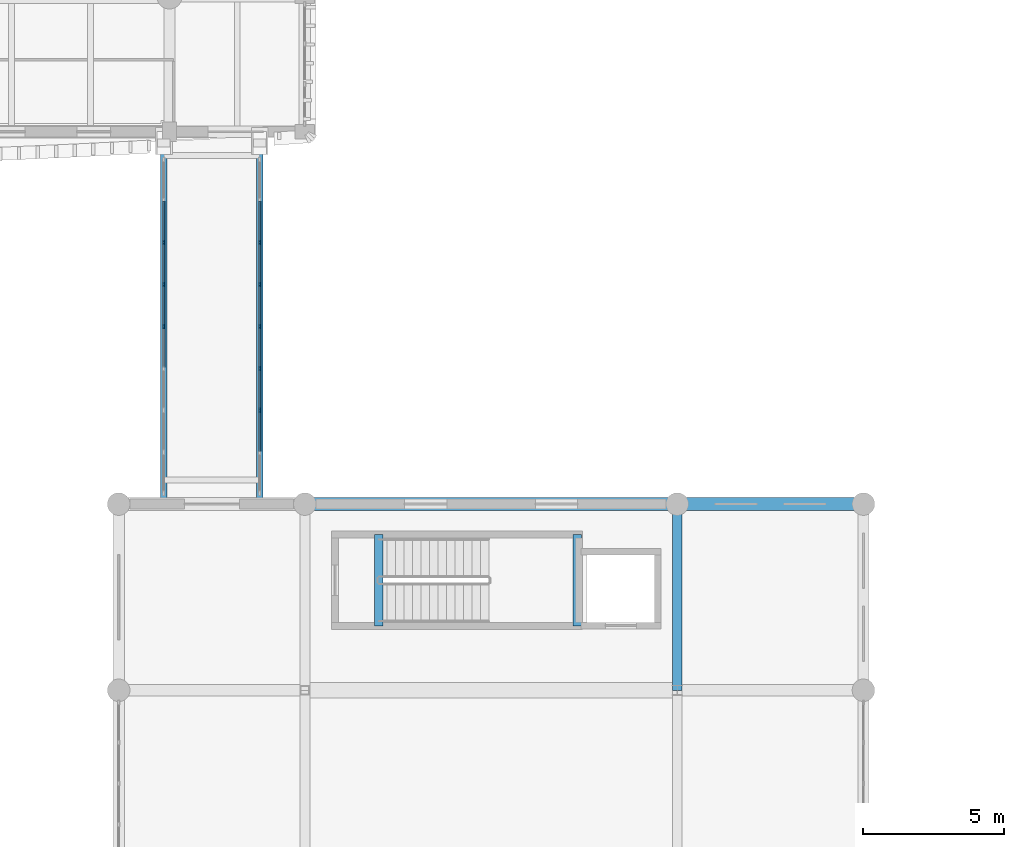
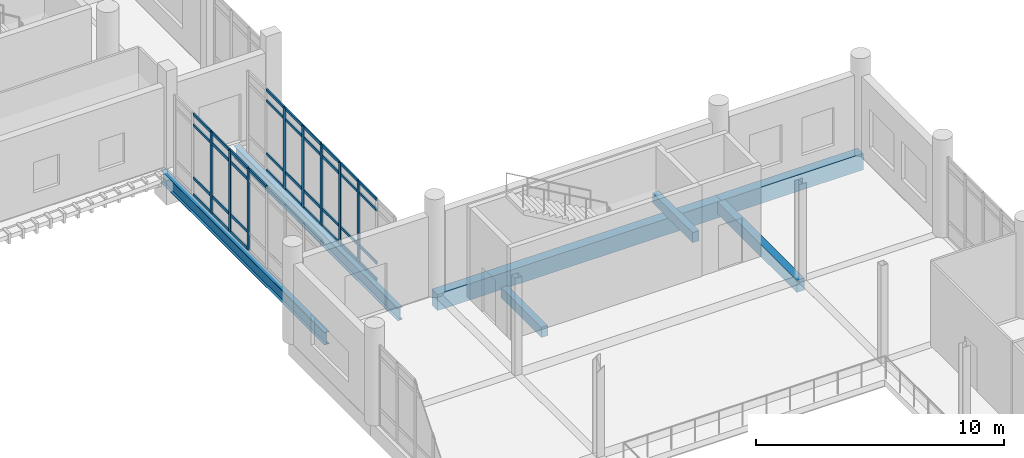
# One storey, part 24 of 101: 45 members, 7 beams, 2 elements without a shape of their own.
"""IFC4 building model written with IfcOpenShell, lengths in metres."""

import ifcopenshell
import ifcopenshell.guid

model = None  # the IFC model being written
_history = None  # IfcOwnerHistory: only IFC2X3 demands one
_inside = {}  # id of a spatial element -> (the spatial element, [elements in it])
_under = {}  # id of a project, library or spatial element -> (it, [spatial elements below it])
_declared = {}  # id of a project -> (the project, [libraries it declares])
_typed = {}  # id of a type object -> (the type object, [elements of that type])
_made_of = {}  # id of a material, layer set ... -> (it, [elements and type objects made of it])


def new_model(schema):
    """Start an empty IFC model of exactly this schema.

    Asked for "IFC4X3", IfcOpenShell would pick the latest addendum, in which some entities
    have other attributes; the version numbers below select the first issue.
    IFC2X3 requires an IfcOwnerHistory on every rooted entity: one is made here for all.
    """
    global model, _history
    if schema == "IFC4X3":
        model = ifcopenshell.file(schema_version=(4, 3, 0, 0))
    else:
        model = ifcopenshell.file(schema=schema)
    _inside.clear()
    _under.clear()
    _declared.clear()
    _typed.clear()
    _made_of.clear()
    _history = None
    if model.schema == "IFC2X3":
        org = make("IfcOrganization", Name="unknown")
        user = make(
            "IfcPersonAndOrganization",
            ThePerson=make("IfcPerson", FamilyName="unknown"),
            TheOrganization=org,
        )
        app = make(
            "IfcApplication",
            ApplicationDeveloper=org,
            Version="unknown",
            ApplicationFullName="unknown",
            ApplicationIdentifier="unknown",
        )
        _history = make(
            "IfcOwnerHistory",
            OwningUser=user,
            OwningApplication=app,
            ChangeAction="ADDED",
            CreationDate=0,
        )
    return model


def make(cls, **values):
    """One entity of the class cls with the attributes given. An attribute that is None is left unset."""
    return model.create_entity(
        cls, **{name: value for name, value in values.items() if value is not None}
    )


def rooted(cls, **values):
    """An entity with a GlobalId (a new one), such as an element, a storey or a relation."""
    return make(cls, GlobalId=ifcopenshell.guid.new(), OwnerHistory=_history, **values)


def si_unit(unit_type, name, prefix=None):
    """IfcSIUnit, for example si_unit("LENGTHUNIT", "METRE", prefix="MILLI")."""
    return make("IfcSIUnit", UnitType=unit_type, Prefix=prefix, Name=name)


def assignment(units):
    """IfcUnitAssignment: the units of a project."""
    return None if units is None else make("IfcUnitAssignment", Units=units)


def point(xyz):
    """IfcCartesianPoint."""
    return None if xyz is None else make("IfcCartesianPoint", Coordinates=xyz)


def direction(xyz):
    """IfcDirection."""
    return None if xyz is None else make("IfcDirection", DirectionRatios=xyz)


def frame(location, z_axis=None, x_axis=None):
    """IfcAxis2Placement3D, a coordinate frame: its origin and axes. An axis left out is left unset."""
    return make(
        "IfcAxis2Placement3D",
        Location=point(location),
        Axis=direction(z_axis),
        RefDirection=direction(x_axis),
    )


def frame_2d(location, x_axis=None):
    """IfcAxis2Placement2D, a coordinate frame in the plane: its origin and x axis."""
    return make(
        "IfcAxis2Placement2D", Location=point(location), RefDirection=direction(x_axis)
    )


def origin():
    """The frame at (0, 0, 0) with its axes left unset."""
    return frame((0.0, 0.0, 0.0))


def origin_2d():
    """The frame at (0, 0) in the plane with its x axis left unset."""
    return frame_2d((0.0, 0.0))


def place(relative_to, where):
    """IfcLocalPlacement: puts the frame where relative to a parent placement (None: the world)."""
    return make(
        "IfcLocalPlacement", PlacementRelTo=relative_to, RelativePlacement=where
    )


def context(
    kind, dimensions, precision=None, world=None, true_north=None, identifier=None
):
    """IfcGeometricRepresentationContext, for example the 3D "Model" context."""
    return make(
        "IfcGeometricRepresentationContext",
        ContextIdentifier=identifier,
        ContextType=kind,
        CoordinateSpaceDimension=dimensions,
        Precision=precision,
        WorldCoordinateSystem=world,
        TrueNorth=true_north,
    )


def subcontext(parent, identifier, kind, view, scale=None):
    """IfcGeometricRepresentationSubContext, for example "Body" below "Model"."""
    return make(
        "IfcGeometricRepresentationSubContext",
        ContextIdentifier=identifier,
        ContextType=kind,
        ParentContext=parent,
        TargetScale=scale,
        TargetView=view,
    )


def project(units=None, contexts=None):
    """IfcProject with its units and contexts."""
    return rooted(
        "IfcProject",
        Name="project",
        RepresentationContexts=contexts,
        UnitsInContext=assignment(units),
    )


def spatial(cls, under=None, at=None, **own):
    """A site, building, storey or space (cls), placed at a placement, below another one or the project."""
    s = rooted(cls, ObjectPlacement=at, **own)
    if under is not None:
        _under.setdefault(under.id(), (under, []))[1].append(s)
    return s


def profile(cls, at=None, kind="AREA", **sizes):
    """A parametric profile (cls). Its sizes go by their IFC names, for example OverallWidth=200.0."""
    return make(cls, ProfileType=kind, Position=at, **sizes)


def rectangle(**sizes):
    """IfcRectangleProfileDef."""
    return profile("IfcRectangleProfileDef", **sizes)


def i_section(**sizes):
    """IfcIShapeProfileDef."""
    return profile("IfcIShapeProfileDef", **sizes)


def extrude(swept, where, along, depth):
    """IfcExtrudedAreaSolid: the profile swept, set in the frame where, extruded along a direction by depth."""
    return make(
        "IfcExtrudedAreaSolid",
        SweptArea=swept,
        Position=where,
        ExtrudedDirection=direction(along),
        Depth=depth,
    )


def shape(context_of_items, identifier, shape_type, items):
    """IfcShapeRepresentation: the items that make up one representation, for example the "Body"."""
    return make(
        "IfcShapeRepresentation",
        ContextOfItems=context_of_items,
        RepresentationIdentifier=identifier,
        RepresentationType=shape_type,
        Items=items,
    )


def material(Name=None, Category=None):
    """IfcMaterial."""
    return make("IfcMaterial", Name=Name, Category=Category)


def material_profile(
    of_material, cross_section, Name=None, Category=None, Priority=None
):
    """IfcMaterialProfile: a cross section and its material."""
    return make(
        "IfcMaterialProfile",
        Name=Name,
        Material=of_material,
        Profile=cross_section,
        Priority=Priority,
        Category=Category,
    )


def profile_set(profiles, Name=None, composite=None):
    """IfcMaterialProfileSet."""
    return make(
        "IfcMaterialProfileSet",
        Name=Name,
        MaterialProfiles=profiles,
        CompositeProfile=composite,
    )


def made_of(thing, what):
    """Note that an element or type object is made of a material, layer set ...; save() writes the relation."""
    if what is not None:
        _made_of.setdefault(what.id(), (what, []))[1].append(thing)
    return thing


def type_object(cls, material=None, **own):
    """A type object (cls), such as IfcWallType, which elements share."""
    return made_of(rooted(cls, **own), material)


def element(
    cls,
    number,
    at=None,
    inside=None,
    cuts=None,
    type_object=None,
    material=None,
    context=None,
    identifier="Body",
    shape_type=None,
    held_by="IfcProductDefinitionShape",
    body=None,
    shapes=None,
    **own,
):
    """One element of the class cls, such as IfcWall. Its Tag is "e" and its number.

    at: its placement. inside: the storey or other place that contains it. cuts: it is an
    opening in that element (IfcRelVoidsElement). A single representation is given by context,
    identifier, shape_type and body (its items); several are given by shapes. held_by: the class
    of the entity that holds the representations. save() writes the other relations.
    """
    e = rooted(cls, Tag="e%d" % number, ObjectPlacement=at, **own)
    if body is not None:
        shapes = [shape(context, identifier, shape_type, body)]
    if shapes is not None:
        e.Representation = make(held_by, Representations=shapes)
    if inside is not None:
        _inside.setdefault(inside.id(), (inside, []))[1].append(e)
    if cuts is not None:
        rooted(
            "IfcRelVoidsElement", RelatingBuildingElement=cuts, RelatedOpeningElement=e
        )
    if type_object is not None:
        _typed.setdefault(type_object.id(), (type_object, []))[1].append(e)
    return made_of(e, material)


def aggregate(whole, parts):
    """IfcRelAggregates: a whole, such as a stair, and the parts it consists of."""
    return rooted("IfcRelAggregates", RelatingObject=whole, RelatedObjects=parts)


def save(model, path):
    """Write the relations noted so far, then the file.

    IfcRelAggregates (storeys below a building ...), IfcRelContainedInSpatialStructure (elements
    in a storey), IfcRelDefinesByType, IfcRelAssociatesMaterial and IfcRelDeclares: one each for
    every whole, place, type object, material and project.
    """
    for whole, parts in _under.values():
        aggregate(whole, parts)
    for where, things in _inside.values():
        rooted(
            "IfcRelContainedInSpatialStructure",
            RelatedElements=things,
            RelatingStructure=where,
        )
    for kind, things in _typed.values():
        rooted("IfcRelDefinesByType", RelatedObjects=things, RelatingType=kind)
    for what, things in _made_of.values():
        rooted("IfcRelAssociatesMaterial", RelatedObjects=things, RelatingMaterial=what)
    for by, libraries in _declared.values():
        rooted("IfcRelDeclares", RelatingContext=by, RelatedDefinitions=libraries)
    model.write(path)


model = new_model("IFC4")

# Units and contexts
model_context = context("Model", 3, precision=1e-05, world=origin(), true_north=direction((0.0, 1.0)))
body_context = subcontext(model_context, "Body", "Model", "MODEL_VIEW")
ifc_project = project(units=[si_unit("LENGTHUNIT", "METRE"), si_unit("AREAUNIT", "SQUARE_METRE"), si_unit("VOLUMEUNIT", "CUBIC_METRE"), si_unit("PLANEANGLEUNIT", "RADIAN"), si_unit("MASSUNIT", "GRAM", prefix="KILO")], contexts=[model_context])

# Site, building, storey
site_placement = place(None, origin())
site = spatial("IfcSite", under=ifc_project, at=site_placement, CompositionType="ELEMENT")
building_placement = place(site_placement, origin())
building = spatial("IfcBuilding", under=site, at=building_placement, Name="Dornvale Research Institute", CompositionType="ELEMENT")
storey_placement = place(building_placement, frame((0.0, 0.0, 10.199951171875)))
storey = spatial("IfcBuildingStorey", under=building, at=storey_placement, Name="L02", CompositionType="ELEMENT", Elevation=10.199951171875)

# Beams
ifc_material_1 = material(Name="Concrete f'c 45 MPa (C35/45)", Category="concrete")
ifc_material_profile_1 = material_profile(ifc_material_1, rectangle(XDim=0.300048828125, YDim=0.5, at=origin_2d()), Name="RC 300x500")
ifc_profile_set_1 = profile_set([ifc_material_profile_1], Name="Concrete f'c 45 MPa (C35/45)")
beam_type_1 = type_object("IfcBeamType", Name="Beam_RC300x500_Trim", PredefinedType="BEAM", material=ifc_profile_set_1)
for number, where, z_axis, x_axis, name in (
    (1, (48.820068359375, 81.47998046875, -0.25), (0.0, 1.0, 0.0), (-1.0, 0.0, 0.0), "L02 ST-8 stair landing trimmer beam #103"),
    (2, (55.85009765625, 81.47998046875, 1.949951171875), (0.0, 1.0, 0.0), (-1.0, 0.0, 0.0), "L02 ST-8 half-landing support beam #108"),
):
    element("IfcBeam", number, at=place(storey_placement, frame(where, z_axis=z_axis, x_axis=x_axis)), inside=storey, type_object=beam_type_1, Name=name, PredefinedType="BEAM", context=body_context, shape_type="SweptSolid", body=[
        extrude(rectangle(XDim=0.300048828125, YDim=0.5, at=origin_2d()), origin(), (0.0, 0.0, 1.0), 3.239990234375),
    ])
ifc_material_2 = material(Name="Concrete f'c 45 MPa (C35/45)", Category="concrete")
ifc_material_profile_2 = material_profile(ifc_material_2, rectangle(XDim=0.35009765625, YDim=0.60009765625, at=origin_2d()), Name="RC 350x600")
ifc_profile_set_2 = profile_set([ifc_material_profile_2], Name="Concrete f'c 45 MPa (C35/45)")
beam_type_2 = type_object("IfcBeamType", Name="Beam_RC350x600_Floor", PredefinedType="BEAM", material=ifc_profile_set_2)
beam_1_placement = place(storey_placement, frame((59.39990234375, 79.199951171875, -0.300048828125), z_axis=(0.0, 1.0, 0.0), x_axis=(-1.0, 0.0, 0.0)))
element("IfcBeam", 3, at=beam_1_placement, inside=storey, type_object=beam_type_2, Name="L02 transverse girder #825", PredefinedType="BEAM", context=body_context, shape_type="SweptSolid", body=[
    extrude(rectangle(XDim=0.35009765625, YDim=0.60009765625, at=origin_2d()), origin(), (0.0, 0.0, 1.0), 6.60009765625),
])
ifc_material_3 = material(Name="Steel ASTM A992 Grade 50", Category="steel")
ifc_material_profile_3 = material_profile(ifc_material_3, i_section(OverallWidth=0.22900390625, OverallDepth=0.612060546875, WebThickness=0.011962890625, FlangeThickness=0.01953125, at=origin_2d()), Name="W24X84")
ifc_profile_set_3 = profile_set([ifc_material_profile_3], Name="Steel ASTM A992 Grade 50")
beam_type_3 = type_object("IfcBeamType", Name="Beam_Steel_W24X84_Bridge", PredefinedType="BEAM", material=ifc_profile_set_3)
for number, where, z_axis, x_axis, name in (
    (4, (41.199951171875, 85.800048828125, -0.52587890625), (0.0, 1.0, 0.0), (-1.0, 0.0, 0.0), "L02 BR-4 west girder #2021"),
    (5, (44.60009765625, 85.800048828125, -0.52587890625), (0.0, 1.0, 0.0), (-1.0, 0.0, 0.0), "L02 BR-4 east girder #2022"),
):
    element("IfcBeam", number, at=place(storey_placement, frame(where, z_axis=z_axis, x_axis=x_axis)), inside=storey, type_object=beam_type_3, Name=name, PredefinedType="BEAM", context=body_context, shape_type="SweptSolid", body=[
        extrude(i_section(OverallWidth=0.22900390625, OverallDepth=0.612060546875, WebThickness=0.011962890625, FlangeThickness=0.01953125, at=origin_2d()), origin(), (0.0, 0.0, 1.0), 13.199951171875),
    ])

# Curtain wall, members
ifc_material_4 = material(Name="Low-E Argon Double Insulating Glazing Unit", Category="glass")
curtain_wall_type = type_object("IfcCurtainWallType", Name="UnitisedCurtainWall_V2_11900x4000", PredefinedType="USERDEFINED", material=ifc_material_4)
curtain_wall_1_placement = place(storey_placement, origin())
curtain_wall_1 = element("IfcCurtainWall", 6, at=curtain_wall_1_placement, inside=storey, type_object=curtain_wall_type, Name="L02 V2 unitised curtain wall CW-40 #209", ObjectType="UNITISED CURTAIN WALL", PredefinedType="USERDEFINED")
ifc_material_5 = material(Name="Anodized Aluminum AA 6063-T6 Thermally Broken Frame", Category="aluminium")
ifc_material_profile_4 = material_profile(ifc_material_5, rectangle(XDim=0.06494140625, YDim=0.1650390625, at=origin_2d()), Name="ALU MULLION 65x165")
ifc_profile_set_4 = profile_set([ifc_material_profile_4], Name="Anodized Aluminum AA 6063-T6 Thermally Broken Frame")
member_type_1 = type_object("IfcMemberType", Name="Mullion_Atrium_65x165", PredefinedType="MULLION", material=ifc_profile_set_4)
member_1_placement = place(storey_placement, frame((41.199951171875, 92.10009765625, 0.0), z_axis=(0.0, 0.0, 1.0), x_axis=(-1.0, 0.0, 0.0)))
member_1 = element("IfcMember", 7, at=member_1_placement, type_object=member_type_1, Name="CW-40 mullion 5", PredefinedType="MULLION", context=body_context, shape_type="SweptSolid", body=[
    extrude(rectangle(XDim=0.06494140625, YDim=0.1650390625, at=origin_2d()), origin(), (0.0, 0.0, 1.0), 4.0),
])
member_2_placement = place(storey_placement, frame((41.199951171875, 93.58740234375, 0.0), z_axis=(0.0, 0.0, 1.0), x_axis=(-1.0, 0.0, 0.0)))
member_2 = element("IfcMember", 8, at=member_2_placement, type_object=member_type_1, Name="CW-40 mullion 6", PredefinedType="MULLION", context=body_context, shape_type="SweptSolid", body=[
    extrude(rectangle(XDim=0.06494140625, YDim=0.1650390625, at=origin_2d()), origin(), (0.0, 0.0, 1.0), 4.0),
])
member_3_placement = place(storey_placement, frame((41.199951171875, 95.074951171875, 0.0), z_axis=(0.0, 0.0, 1.0), x_axis=(-1.0, 0.0, 0.0)))
member_3 = element("IfcMember", 9, at=member_3_placement, type_object=member_type_1, Name="CW-40 mullion 7", PredefinedType="MULLION", context=body_context, shape_type="SweptSolid", body=[
    extrude(rectangle(XDim=0.06494140625, YDim=0.1650390625, at=origin_2d()), origin(), (0.0, 0.0, 1.0), 4.0),
])

curtain_wall_2_placement = place(storey_placement, origin())
curtain_wall_2 = element("IfcCurtainWall", 10, at=curtain_wall_2_placement, inside=storey, type_object=curtain_wall_type, Name="L02 V2 unitised curtain wall CW-40 #210", ObjectType="UNITISED CURTAIN WALL", PredefinedType="USERDEFINED")
member_4_placement = place(storey_placement, frame((44.60009765625, 95.074951171875, 0.0), z_axis=(0.0, 0.0, 1.0), x_axis=(1.0, 0.0, 0.0)))
member_4 = element("IfcMember", 11, at=member_4_placement, type_object=member_type_1, Name="CW-40 mullion 3", PredefinedType="MULLION", context=body_context, shape_type="SweptSolid", body=[
    extrude(rectangle(XDim=0.06494140625, YDim=0.1650390625, at=origin_2d()), origin(), (0.0, 0.0, 1.0), 4.0),
])
member_5_placement = place(storey_placement, frame((44.60009765625, 93.58740234375, 0.0), z_axis=(0.0, 0.0, 1.0), x_axis=(1.0, 0.0, 0.0)))
member_5 = element("IfcMember", 12, at=member_5_placement, type_object=member_type_1, Name="CW-40 mullion 4", PredefinedType="MULLION", context=body_context, shape_type="SweptSolid", body=[
    extrude(rectangle(XDim=0.06494140625, YDim=0.1650390625, at=origin_2d()), origin(), (0.0, 0.0, 1.0), 4.0),
])
member_6_placement = place(storey_placement, frame((44.60009765625, 92.10009765625, 0.0), z_axis=(0.0, 0.0, 1.0), x_axis=(1.0, 0.0, 0.0)))
member_6 = element("IfcMember", 13, at=member_6_placement, type_object=member_type_1, Name="CW-40 mullion 5", PredefinedType="MULLION", context=body_context, shape_type="SweptSolid", body=[
    extrude(rectangle(XDim=0.06494140625, YDim=0.1650390625, at=origin_2d()), origin(), (0.0, 0.0, 1.0), 4.0),
])
member_7_placement = place(storey_placement, frame((44.60009765625, 90.612548828125, 0.0), z_axis=(0.0, 0.0, 1.0), x_axis=(1.0, 0.0, 0.0)))
member_7 = element("IfcMember", 14, at=member_7_placement, type_object=member_type_1, Name="CW-40 mullion 6", PredefinedType="MULLION", context=body_context, shape_type="SweptSolid", body=[
    extrude(rectangle(XDim=0.06494140625, YDim=0.1650390625, at=origin_2d()), origin(), (0.0, 0.0, 1.0), 4.0),
])
member_8_placement = place(storey_placement, frame((44.60009765625, 89.125, 0.0), z_axis=(0.0, 0.0, 1.0), x_axis=(1.0, 0.0, 0.0)))
member_8 = element("IfcMember", 15, at=member_8_placement, type_object=member_type_1, Name="CW-40 mullion 7", PredefinedType="MULLION", context=body_context, shape_type="SweptSolid", body=[
    extrude(rectangle(XDim=0.06494140625, YDim=0.1650390625, at=origin_2d()), origin(), (0.0, 0.0, 1.0), 4.0),
])

# Beams
ifc_material_6 = material(Name="Concrete f'c 45 MPa (C35/45)", Category="concrete")
ifc_material_profile_5 = material_profile(ifc_material_6, rectangle(XDim=0.449951171875, YDim=0.800048828125, at=origin_2d()), Name="RC 450x800")
ifc_profile_set_5 = profile_set([ifc_material_profile_5], Name="Concrete f'c 45 MPa (C35/45)")
beam_type_4 = type_object("IfcBeamType", Name="Spandrel_RC450x800_Ext", PredefinedType="SPANDREL", material=ifc_profile_set_5)
beam_2_placement = place(storey_placement, frame((46.199951171875, 85.800048828125, -0.39990234375), z_axis=(1.0, 0.0, 0.0), x_axis=(0.0, 1.0, 0.0)))
element("IfcBeam", 16, at=beam_2_placement, inside=storey, type_object=beam_type_4, Name="L02 perimeter spandrel #803", PredefinedType="SPANDREL", context=body_context, shape_type="SweptSolid", body=[
    extrude(rectangle(XDim=0.449951171875, YDim=0.800048828125, at=origin_2d()), origin(), (0.0, 0.0, 1.0), 13.199951171875),
])
beam_3_placement = place(storey_placement, frame((59.39990234375, 85.800048828125, -0.39990234375), z_axis=(1.0, 0.0, 0.0), x_axis=(0.0, 1.0, 0.0)))
element("IfcBeam", 17, at=beam_3_placement, inside=storey, type_object=beam_type_4, Name="L02 perimeter spandrel #804", PredefinedType="SPANDREL", context=body_context, shape_type="SweptSolid", body=[
    extrude(rectangle(XDim=0.449951171875, YDim=0.800048828125, at=origin_2d()), origin(), (0.0, 0.0, 1.0), 6.60009765625),
])

# Member
ifc_material_7 = material(Name="Anodized Aluminum AA 6063-T6 Thermally Broken Frame", Category="aluminium")
ifc_material_profile_6 = material_profile(ifc_material_7, rectangle(XDim=0.06494140625, YDim=0.135009765625, at=origin_2d()), Name="ALU TRANSOM 65x135")
ifc_profile_set_6 = profile_set([ifc_material_profile_6], Name="Anodized Aluminum AA 6063-T6 Thermally Broken Frame")
member_type_2 = type_object("IfcMemberType", Name="Transom_CW_65x135", PredefinedType="USERDEFINED", material=ifc_profile_set_6)
member_9_placement = place(storey_placement, frame((41.199951171875, 90.64501953125, 3.967529296875), z_axis=(0.0, 1.0, 0.0), x_axis=(-1.0, 0.0, 0.0)))
member_9 = element("IfcMember", 18, at=member_9_placement, type_object=member_type_2, Name="CW-40 transom 4.4", ObjectType="TRANSOM", PredefinedType="USERDEFINED", context=body_context, shape_type="SweptSolid", body=[
    extrude(rectangle(XDim=0.06494140625, YDim=0.135009765625, at=origin_2d()), origin(), (0.0, 0.0, 1.0), 1.42236328125),
])

member_10_placement = place(storey_placement, frame((41.199951171875, 92.132568359375, 0.032470703125), z_axis=(0.0, 1.0, 0.0), x_axis=(-1.0, 0.0, 0.0)))
member_10 = element("IfcMember", 19, at=member_10_placement, type_object=member_type_2, Name="CW-40 transom 5.1", ObjectType="TRANSOM", PredefinedType="USERDEFINED", context=body_context, shape_type="SweptSolid", body=[
    extrude(rectangle(XDim=0.06494140625, YDim=0.135009765625, at=origin_2d()), origin(), (0.0, 0.0, 1.0), 1.42236328125),
])

member_11_placement = place(storey_placement, frame((41.199951171875, 92.132568359375, 0.85009765625), z_axis=(0.0, 1.0, 0.0), x_axis=(-1.0, 0.0, 0.0)))
member_11 = element("IfcMember", 20, at=member_11_placement, type_object=member_type_2, Name="CW-40 transom 5.2", ObjectType="TRANSOM", PredefinedType="USERDEFINED", context=body_context, shape_type="SweptSolid", body=[
    extrude(rectangle(XDim=0.06494140625, YDim=0.135009765625, at=origin_2d()), origin(), (0.0, 0.0, 1.0), 1.42236328125),
])

member_12_placement = place(storey_placement, frame((41.199951171875, 92.132568359375, 3.449951171875), z_axis=(0.0, 1.0, 0.0), x_axis=(-1.0, 0.0, 0.0)))
member_12 = element("IfcMember", 21, at=member_12_placement, type_object=member_type_2, Name="CW-40 transom 5.3", ObjectType="TRANSOM", PredefinedType="USERDEFINED", context=body_context, shape_type="SweptSolid", body=[
    extrude(rectangle(XDim=0.06494140625, YDim=0.135009765625, at=origin_2d()), origin(), (0.0, 0.0, 1.0), 1.42236328125),
])

member_13_placement = place(storey_placement, frame((41.199951171875, 92.132568359375, 3.967529296875), z_axis=(0.0, 1.0, 0.0), x_axis=(-1.0, 0.0, 0.0)))
member_13 = element("IfcMember", 22, at=member_13_placement, type_object=member_type_2, Name="CW-40 transom 5.4", ObjectType="TRANSOM", PredefinedType="USERDEFINED", context=body_context, shape_type="SweptSolid", body=[
    extrude(rectangle(XDim=0.06494140625, YDim=0.135009765625, at=origin_2d()), origin(), (0.0, 0.0, 1.0), 1.42236328125),
])

member_14_placement = place(storey_placement, frame((41.199951171875, 93.6201171875, 0.032470703125), z_axis=(0.0, 1.0, 0.0), x_axis=(-1.0, 0.0, 0.0)))
member_14 = element("IfcMember", 23, at=member_14_placement, type_object=member_type_2, Name="CW-40 transom 6.1", ObjectType="TRANSOM", PredefinedType="USERDEFINED", context=body_context, shape_type="SweptSolid", body=[
    extrude(rectangle(XDim=0.06494140625, YDim=0.135009765625, at=origin_2d()), origin(), (0.0, 0.0, 1.0), 1.42236328125),
])

member_15_placement = place(storey_placement, frame((41.199951171875, 93.6201171875, 0.85009765625), z_axis=(0.0, 1.0, 0.0), x_axis=(-1.0, 0.0, 0.0)))
member_15 = element("IfcMember", 24, at=member_15_placement, type_object=member_type_2, Name="CW-40 transom 6.2", ObjectType="TRANSOM", PredefinedType="USERDEFINED", context=body_context, shape_type="SweptSolid", body=[
    extrude(rectangle(XDim=0.06494140625, YDim=0.135009765625, at=origin_2d()), origin(), (0.0, 0.0, 1.0), 1.42236328125),
])

member_16_placement = place(storey_placement, frame((41.199951171875, 93.6201171875, 3.449951171875), z_axis=(0.0, 1.0, 0.0), x_axis=(-1.0, 0.0, 0.0)))
member_16 = element("IfcMember", 25, at=member_16_placement, type_object=member_type_2, Name="CW-40 transom 6.3", ObjectType="TRANSOM", PredefinedType="USERDEFINED", context=body_context, shape_type="SweptSolid", body=[
    extrude(rectangle(XDim=0.06494140625, YDim=0.135009765625, at=origin_2d()), origin(), (0.0, 0.0, 1.0), 1.42236328125),
])

member_17_placement = place(storey_placement, frame((41.199951171875, 93.6201171875, 3.967529296875), z_axis=(0.0, 1.0, 0.0), x_axis=(-1.0, 0.0, 0.0)))
member_17 = element("IfcMember", 26, at=member_17_placement, type_object=member_type_2, Name="CW-40 transom 6.4", ObjectType="TRANSOM", PredefinedType="USERDEFINED", context=body_context, shape_type="SweptSolid", body=[
    extrude(rectangle(XDim=0.06494140625, YDim=0.135009765625, at=origin_2d()), origin(), (0.0, 0.0, 1.0), 1.42236328125),
])

member_18_placement = place(storey_placement, frame((41.199951171875, 95.107421875, 0.032470703125), z_axis=(0.0, 1.0, 0.0), x_axis=(-1.0, 0.0, 0.0)))
member_18 = element("IfcMember", 27, at=member_18_placement, type_object=member_type_2, Name="CW-40 transom 7.1", ObjectType="TRANSOM", PredefinedType="USERDEFINED", context=body_context, shape_type="SweptSolid", body=[
    extrude(rectangle(XDim=0.06494140625, YDim=0.135009765625, at=origin_2d()), origin(), (0.0, 0.0, 1.0), 1.422607421875),
])

member_19_placement = place(storey_placement, frame((41.199951171875, 95.107421875, 0.85009765625), z_axis=(0.0, 1.0, 0.0), x_axis=(-1.0, 0.0, 0.0)))
member_19 = element("IfcMember", 28, at=member_19_placement, type_object=member_type_2, Name="CW-40 transom 7.2", ObjectType="TRANSOM", PredefinedType="USERDEFINED", context=body_context, shape_type="SweptSolid", body=[
    extrude(rectangle(XDim=0.06494140625, YDim=0.135009765625, at=origin_2d()), origin(), (0.0, 0.0, 1.0), 1.422607421875),
])

member_20_placement = place(storey_placement, frame((41.199951171875, 95.107421875, 3.449951171875), z_axis=(0.0, 1.0, 0.0), x_axis=(-1.0, 0.0, 0.0)))
member_20 = element("IfcMember", 29, at=member_20_placement, type_object=member_type_2, Name="CW-40 transom 7.3", ObjectType="TRANSOM", PredefinedType="USERDEFINED", context=body_context, shape_type="SweptSolid", body=[
    extrude(rectangle(XDim=0.06494140625, YDim=0.135009765625, at=origin_2d()), origin(), (0.0, 0.0, 1.0), 1.422607421875),
])

member_21_placement = place(storey_placement, frame((41.199951171875, 95.107421875, 3.967529296875), z_axis=(0.0, 1.0, 0.0), x_axis=(-1.0, 0.0, 0.0)))
member_21 = element("IfcMember", 30, at=member_21_placement, type_object=member_type_2, Name="CW-40 transom 7.4", ObjectType="TRANSOM", PredefinedType="USERDEFINED", context=body_context, shape_type="SweptSolid", body=[
    extrude(rectangle(XDim=0.06494140625, YDim=0.135009765625, at=origin_2d()), origin(), (0.0, 0.0, 1.0), 1.422607421875),
])

aggregate(curtain_wall_1, [member_1, member_2, member_3, member_9, member_10, member_11, member_12, member_13, member_14, member_15, member_16, member_17, member_18, member_19, member_20, member_21])

member_22_placement = place(storey_placement, frame((44.60009765625, 96.530029296875, 0.032470703125), z_axis=(0.0, -1.0, 0.0), x_axis=(1.0, 0.0, 0.0)))
member_22 = element("IfcMember", 31, at=member_22_placement, type_object=member_type_2, Name="CW-40 transom 2.1", ObjectType="TRANSOM", PredefinedType="USERDEFINED", context=body_context, shape_type="SweptSolid", body=[
    extrude(rectangle(XDim=0.06494140625, YDim=0.135009765625, at=origin_2d()), origin(), (0.0, 0.0, 1.0), 1.422607421875),
])

member_23_placement = place(storey_placement, frame((44.60009765625, 96.530029296875, 0.85009765625), z_axis=(0.0, -1.0, 0.0), x_axis=(1.0, 0.0, 0.0)))
member_23 = element("IfcMember", 32, at=member_23_placement, type_object=member_type_2, Name="CW-40 transom 2.2", ObjectType="TRANSOM", PredefinedType="USERDEFINED", context=body_context, shape_type="SweptSolid", body=[
    extrude(rectangle(XDim=0.06494140625, YDim=0.135009765625, at=origin_2d()), origin(), (0.0, 0.0, 1.0), 1.422607421875),
])

member_24_placement = place(storey_placement, frame((44.60009765625, 96.530029296875, 3.449951171875), z_axis=(0.0, -1.0, 0.0), x_axis=(1.0, 0.0, 0.0)))
member_24 = element("IfcMember", 33, at=member_24_placement, type_object=member_type_2, Name="CW-40 transom 2.3", ObjectType="TRANSOM", PredefinedType="USERDEFINED", context=body_context, shape_type="SweptSolid", body=[
    extrude(rectangle(XDim=0.06494140625, YDim=0.135009765625, at=origin_2d()), origin(), (0.0, 0.0, 1.0), 1.422607421875),
])

member_25_placement = place(storey_placement, frame((44.60009765625, 96.530029296875, 3.967529296875), z_axis=(0.0, -1.0, 0.0), x_axis=(1.0, 0.0, 0.0)))
member_25 = element("IfcMember", 34, at=member_25_placement, type_object=member_type_2, Name="CW-40 transom 2.4", ObjectType="TRANSOM", PredefinedType="USERDEFINED", context=body_context, shape_type="SweptSolid", body=[
    extrude(rectangle(XDim=0.06494140625, YDim=0.135009765625, at=origin_2d()), origin(), (0.0, 0.0, 1.0), 1.422607421875),
])

member_26_placement = place(storey_placement, frame((44.60009765625, 95.04248046875, 0.032470703125), z_axis=(0.0, -1.0, 0.0), x_axis=(1.0, 0.0, 0.0)))
member_26 = element("IfcMember", 35, at=member_26_placement, type_object=member_type_2, Name="CW-40 transom 3.1", ObjectType="TRANSOM", PredefinedType="USERDEFINED", context=body_context, shape_type="SweptSolid", body=[
    extrude(rectangle(XDim=0.06494140625, YDim=0.135009765625, at=origin_2d()), origin(), (0.0, 0.0, 1.0), 1.42236328125),
])

member_27_placement = place(storey_placement, frame((44.60009765625, 95.04248046875, 0.85009765625), z_axis=(0.0, -1.0, 0.0), x_axis=(1.0, 0.0, 0.0)))
member_27 = element("IfcMember", 36, at=member_27_placement, type_object=member_type_2, Name="CW-40 transom 3.2", ObjectType="TRANSOM", PredefinedType="USERDEFINED", context=body_context, shape_type="SweptSolid", body=[
    extrude(rectangle(XDim=0.06494140625, YDim=0.135009765625, at=origin_2d()), origin(), (0.0, 0.0, 1.0), 1.42236328125),
])

member_28_placement = place(storey_placement, frame((44.60009765625, 95.04248046875, 3.449951171875), z_axis=(0.0, -1.0, 0.0), x_axis=(1.0, 0.0, 0.0)))
member_28 = element("IfcMember", 37, at=member_28_placement, type_object=member_type_2, Name="CW-40 transom 3.3", ObjectType="TRANSOM", PredefinedType="USERDEFINED", context=body_context, shape_type="SweptSolid", body=[
    extrude(rectangle(XDim=0.06494140625, YDim=0.135009765625, at=origin_2d()), origin(), (0.0, 0.0, 1.0), 1.42236328125),
])

member_29_placement = place(storey_placement, frame((44.60009765625, 95.04248046875, 3.967529296875), z_axis=(0.0, -1.0, 0.0), x_axis=(1.0, 0.0, 0.0)))
member_29 = element("IfcMember", 38, at=member_29_placement, type_object=member_type_2, Name="CW-40 transom 3.4", ObjectType="TRANSOM", PredefinedType="USERDEFINED", context=body_context, shape_type="SweptSolid", body=[
    extrude(rectangle(XDim=0.06494140625, YDim=0.135009765625, at=origin_2d()), origin(), (0.0, 0.0, 1.0), 1.42236328125),
])

member_30_placement = place(storey_placement, frame((44.60009765625, 93.554931640625, 0.032470703125), z_axis=(0.0, -1.0, 0.0), x_axis=(1.0, 0.0, 0.0)))
member_30 = element("IfcMember", 39, at=member_30_placement, type_object=member_type_2, Name="CW-40 transom 4.1", ObjectType="TRANSOM", PredefinedType="USERDEFINED", context=body_context, shape_type="SweptSolid", body=[
    extrude(rectangle(XDim=0.06494140625, YDim=0.135009765625, at=origin_2d()), origin(), (0.0, 0.0, 1.0), 1.42236328125),
])

member_31_placement = place(storey_placement, frame((44.60009765625, 93.554931640625, 0.85009765625), z_axis=(0.0, -1.0, 0.0), x_axis=(1.0, 0.0, 0.0)))
member_31 = element("IfcMember", 40, at=member_31_placement, type_object=member_type_2, Name="CW-40 transom 4.2", ObjectType="TRANSOM", PredefinedType="USERDEFINED", context=body_context, shape_type="SweptSolid", body=[
    extrude(rectangle(XDim=0.06494140625, YDim=0.135009765625, at=origin_2d()), origin(), (0.0, 0.0, 1.0), 1.42236328125),
])

member_32_placement = place(storey_placement, frame((44.60009765625, 93.554931640625, 3.449951171875), z_axis=(0.0, -1.0, 0.0), x_axis=(1.0, 0.0, 0.0)))
member_32 = element("IfcMember", 41, at=member_32_placement, type_object=member_type_2, Name="CW-40 transom 4.3", ObjectType="TRANSOM", PredefinedType="USERDEFINED", context=body_context, shape_type="SweptSolid", body=[
    extrude(rectangle(XDim=0.06494140625, YDim=0.135009765625, at=origin_2d()), origin(), (0.0, 0.0, 1.0), 1.42236328125),
])

member_33_placement = place(storey_placement, frame((44.60009765625, 93.554931640625, 3.967529296875), z_axis=(0.0, -1.0, 0.0), x_axis=(1.0, 0.0, 0.0)))
member_33 = element("IfcMember", 42, at=member_33_placement, type_object=member_type_2, Name="CW-40 transom 4.4", ObjectType="TRANSOM", PredefinedType="USERDEFINED", context=body_context, shape_type="SweptSolid", body=[
    extrude(rectangle(XDim=0.06494140625, YDim=0.135009765625, at=origin_2d()), origin(), (0.0, 0.0, 1.0), 1.42236328125),
])

member_34_placement = place(storey_placement, frame((44.60009765625, 92.0673828125, 0.032470703125), z_axis=(0.0, -1.0, 0.0), x_axis=(1.0, 0.0, 0.0)))
member_34 = element("IfcMember", 43, at=member_34_placement, type_object=member_type_2, Name="CW-40 transom 5.1", ObjectType="TRANSOM", PredefinedType="USERDEFINED", context=body_context, shape_type="SweptSolid", body=[
    extrude(rectangle(XDim=0.06494140625, YDim=0.135009765625, at=origin_2d()), origin(), (0.0, 0.0, 1.0), 1.42236328125),
])

member_35_placement = place(storey_placement, frame((44.60009765625, 92.0673828125, 0.85009765625), z_axis=(0.0, -1.0, 0.0), x_axis=(1.0, 0.0, 0.0)))
member_35 = element("IfcMember", 44, at=member_35_placement, type_object=member_type_2, Name="CW-40 transom 5.2", ObjectType="TRANSOM", PredefinedType="USERDEFINED", context=body_context, shape_type="SweptSolid", body=[
    extrude(rectangle(XDim=0.06494140625, YDim=0.135009765625, at=origin_2d()), origin(), (0.0, 0.0, 1.0), 1.42236328125),
])

member_36_placement = place(storey_placement, frame((44.60009765625, 92.0673828125, 3.449951171875), z_axis=(0.0, -1.0, 0.0), x_axis=(1.0, 0.0, 0.0)))
member_36 = element("IfcMember", 45, at=member_36_placement, type_object=member_type_2, Name="CW-40 transom 5.3", ObjectType="TRANSOM", PredefinedType="USERDEFINED", context=body_context, shape_type="SweptSolid", body=[
    extrude(rectangle(XDim=0.06494140625, YDim=0.135009765625, at=origin_2d()), origin(), (0.0, 0.0, 1.0), 1.42236328125),
])

member_37_placement = place(storey_placement, frame((44.60009765625, 92.0673828125, 3.967529296875), z_axis=(0.0, -1.0, 0.0), x_axis=(1.0, 0.0, 0.0)))
member_37 = element("IfcMember", 46, at=member_37_placement, type_object=member_type_2, Name="CW-40 transom 5.4", ObjectType="TRANSOM", PredefinedType="USERDEFINED", context=body_context, shape_type="SweptSolid", body=[
    extrude(rectangle(XDim=0.06494140625, YDim=0.135009765625, at=origin_2d()), origin(), (0.0, 0.0, 1.0), 1.42236328125),
])

member_38_placement = place(storey_placement, frame((44.60009765625, 90.580078125, 0.032470703125), z_axis=(0.0, -1.0, 0.0), x_axis=(1.0, 0.0, 0.0)))
member_38 = element("IfcMember", 47, at=member_38_placement, type_object=member_type_2, Name="CW-40 transom 6.1", ObjectType="TRANSOM", PredefinedType="USERDEFINED", context=body_context, shape_type="SweptSolid", body=[
    extrude(rectangle(XDim=0.06494140625, YDim=0.135009765625, at=origin_2d()), origin(), (0.0, 0.0, 1.0), 1.422607421875),
])

member_39_placement = place(storey_placement, frame((44.60009765625, 90.580078125, 0.85009765625), z_axis=(0.0, -1.0, 0.0), x_axis=(1.0, 0.0, 0.0)))
member_39 = element("IfcMember", 48, at=member_39_placement, type_object=member_type_2, Name="CW-40 transom 6.2", ObjectType="TRANSOM", PredefinedType="USERDEFINED", context=body_context, shape_type="SweptSolid", body=[
    extrude(rectangle(XDim=0.06494140625, YDim=0.135009765625, at=origin_2d()), origin(), (0.0, 0.0, 1.0), 1.422607421875),
])

member_40_placement = place(storey_placement, frame((44.60009765625, 90.580078125, 3.449951171875), z_axis=(0.0, -1.0, 0.0), x_axis=(1.0, 0.0, 0.0)))
member_40 = element("IfcMember", 49, at=member_40_placement, type_object=member_type_2, Name="CW-40 transom 6.3", ObjectType="TRANSOM", PredefinedType="USERDEFINED", context=body_context, shape_type="SweptSolid", body=[
    extrude(rectangle(XDim=0.06494140625, YDim=0.135009765625, at=origin_2d()), origin(), (0.0, 0.0, 1.0), 1.422607421875),
])

member_41_placement = place(storey_placement, frame((44.60009765625, 90.580078125, 3.967529296875), z_axis=(0.0, -1.0, 0.0), x_axis=(1.0, 0.0, 0.0)))
member_41 = element("IfcMember", 50, at=member_41_placement, type_object=member_type_2, Name="CW-40 transom 6.4", ObjectType="TRANSOM", PredefinedType="USERDEFINED", context=body_context, shape_type="SweptSolid", body=[
    extrude(rectangle(XDim=0.06494140625, YDim=0.135009765625, at=origin_2d()), origin(), (0.0, 0.0, 1.0), 1.422607421875),
])

member_42_placement = place(storey_placement, frame((44.60009765625, 89.092529296875, 0.032470703125), z_axis=(0.0, -1.0, 0.0), x_axis=(1.0, 0.0, 0.0)))
member_42 = element("IfcMember", 51, at=member_42_placement, type_object=member_type_2, Name="CW-40 transom 7.1", ObjectType="TRANSOM", PredefinedType="USERDEFINED", context=body_context, shape_type="SweptSolid", body=[
    extrude(rectangle(XDim=0.06494140625, YDim=0.135009765625, at=origin_2d()), origin(), (0.0, 0.0, 1.0), 1.422607421875),
])

member_43_placement = place(storey_placement, frame((44.60009765625, 89.092529296875, 0.85009765625), z_axis=(0.0, -1.0, 0.0), x_axis=(1.0, 0.0, 0.0)))
member_43 = element("IfcMember", 52, at=member_43_placement, type_object=member_type_2, Name="CW-40 transom 7.2", ObjectType="TRANSOM", PredefinedType="USERDEFINED", context=body_context, shape_type="SweptSolid", body=[
    extrude(rectangle(XDim=0.06494140625, YDim=0.135009765625, at=origin_2d()), origin(), (0.0, 0.0, 1.0), 1.422607421875),
])

member_44_placement = place(storey_placement, frame((44.60009765625, 89.092529296875, 3.449951171875), z_axis=(0.0, -1.0, 0.0), x_axis=(1.0, 0.0, 0.0)))
member_44 = element("IfcMember", 53, at=member_44_placement, type_object=member_type_2, Name="CW-40 transom 7.3", ObjectType="TRANSOM", PredefinedType="USERDEFINED", context=body_context, shape_type="SweptSolid", body=[
    extrude(rectangle(XDim=0.06494140625, YDim=0.135009765625, at=origin_2d()), origin(), (0.0, 0.0, 1.0), 1.422607421875),
])

member_45_placement = place(storey_placement, frame((44.60009765625, 89.092529296875, 3.967529296875), z_axis=(0.0, -1.0, 0.0), x_axis=(1.0, 0.0, 0.0)))
member_45 = element("IfcMember", 54, at=member_45_placement, type_object=member_type_2, Name="CW-40 transom 7.4", ObjectType="TRANSOM", PredefinedType="USERDEFINED", context=body_context, shape_type="SweptSolid", body=[
    extrude(rectangle(XDim=0.06494140625, YDim=0.135009765625, at=origin_2d()), origin(), (0.0, 0.0, 1.0), 1.422607421875),
])

aggregate(curtain_wall_2, [member_4, member_5, member_6, member_7, member_8, member_22, member_23, member_24, member_25, member_26, member_27, member_28, member_29, member_30, member_31, member_32, member_33, member_34, member_35, member_36, member_37, member_38, member_39, member_40, member_41, member_42, member_43, member_44, member_45])

save(model, "model.ifc")
